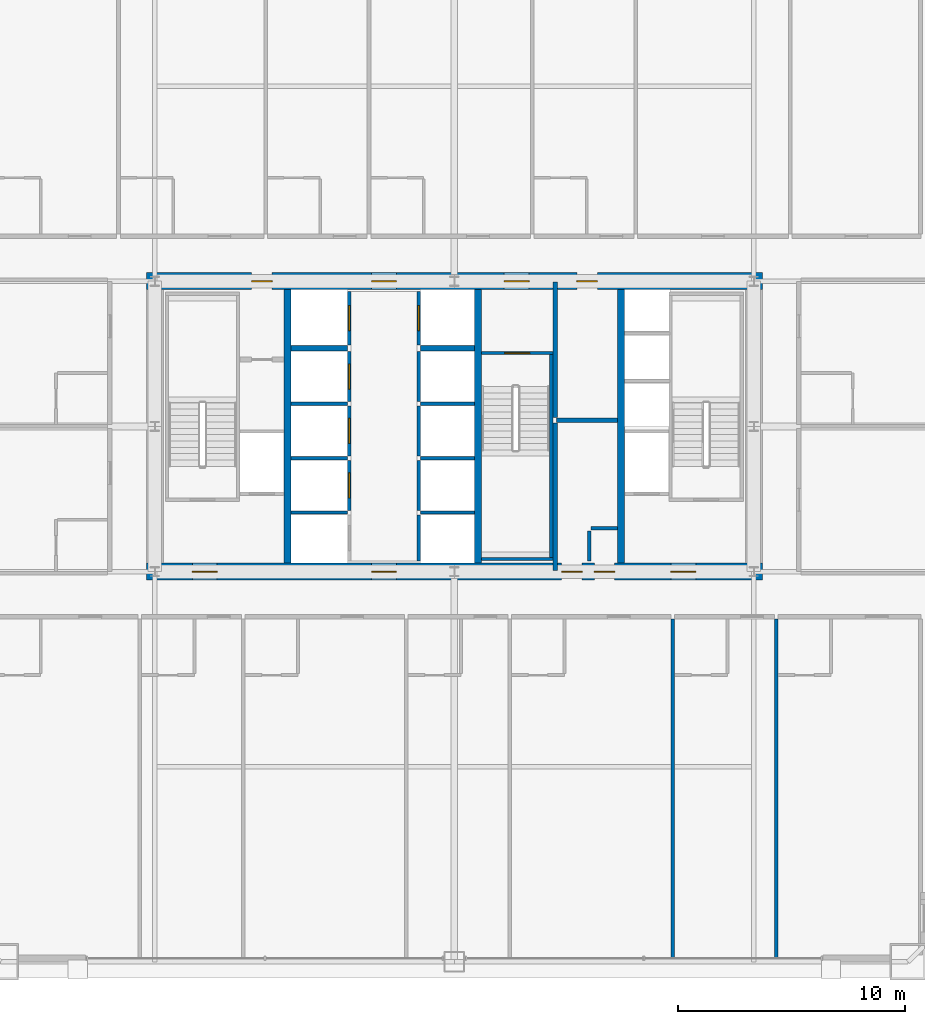
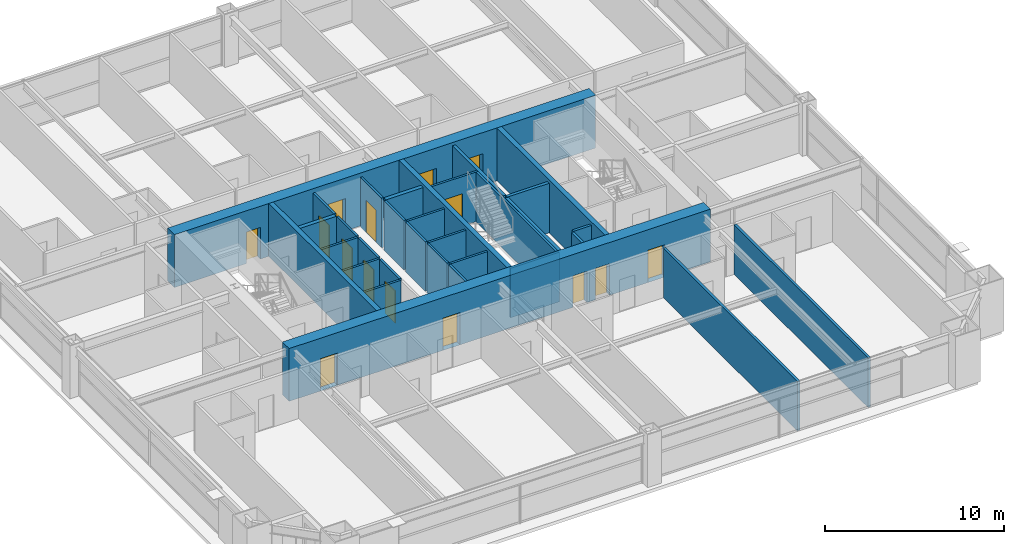
# One storey, part 35 of 38: 32 walls, 15 doors, 15 openings.
"""IFC4 building model written with IfcOpenShell, lengths in metres."""

from ifc_helpers import new_model, si_unit, direction, frame, frame_2d, origin, place, context, subcontext, project, spatial, rectangle, extrude, source, transform, mapped, material, layer, layer_set, type_object, element, fill, save


model = new_model("IFC4")

# Units and contexts
model_context = context("Model", 3, precision=1e-05, world=origin(), true_north=direction((0.0, 1.0)))
body_context = subcontext(model_context, "Body", "Model", "MODEL_VIEW")
ifc_project = project(units=[si_unit("LENGTHUNIT", "METRE"), si_unit("AREAUNIT", "SQUARE_METRE"), si_unit("VOLUMEUNIT", "CUBIC_METRE"), si_unit("PLANEANGLEUNIT", "RADIAN"), si_unit("MASSUNIT", "GRAM", prefix="KILO"), si_unit("THERMODYNAMICTEMPERATUREUNIT", "KELVIN"), si_unit("POWERUNIT", "WATT")], contexts=[model_context])

# Site, building, storey
site_placement = place(None, origin())
site = spatial("IfcSite", under=ifc_project, at=site_placement, CompositionType="ELEMENT")
building_placement = place(site_placement, origin())
building = spatial("IfcBuilding", under=site, at=building_placement, Name="Yuzanri Waterfront Tower", CompositionType="ELEMENT")
storey_placement = place(building_placement, frame((0.0, 0.0, 90.199951171875)))
storey = spatial("IfcBuildingStorey", under=building, at=storey_placement, Name="L23", CompositionType="ELEMENT", Elevation=90.199951171875)

# Wall, openings, doors
ifc_material_1 = material(Name="Concrete C55", Category="concrete")
ifc_layer_1 = layer(ifc_material_1, 0.75)
ifc_layer_set_1 = layer_set([ifc_layer_1], Name="Concrete C55")
wall_type_1 = type_object("IfcWallType", Name="Concrete C55 Low-Mid Zone Core Shear Wall 750", PredefinedType="SHEAR", material=ifc_layer_set_1)
wall_1_placement = place(storey_placement, frame((23.425048828125, 19.39990234375, 0.0), z_axis=(0.0, 0.0, 1.0), x_axis=(1.0, 0.0, 0.0)))
wall_1 = element("IfcWall", 1, at=wall_1_placement, inside=storey, type_object=wall_type_1, Name="L23 Core South Shear Wall", PredefinedType="SHEAR", context=body_context, shape_type="SweptSolid", body=[
    extrude(rectangle(XDim=27.14990234375, YDim=0.75, at=frame_2d((13.574951171875, 0.0))), origin(), (0.0, 0.0, 1.0), 3.60009765625),
])
opening_1_placement = place(wall_1_placement, frame((2.02490234375, 0.0, 0.0)))
opening_1 = element("IfcOpeningElement", 2, at=opening_1_placement, cuts=wall_1, Name="Opening FD-1100", PredefinedType="OPENING", context=body_context, shape_type="SweptSolid", body=[
    extrude(rectangle(XDim=1.10009765625, YDim=2.199951171875, at=frame_2d((0.550048828125, 1.10009765625))), frame((0.0, 0.389892578125, 0.0), z_axis=(0.0, -1.0, 0.0), x_axis=(1.0, 0.0, 0.0)), (0.0, 0.0, 1.0), 0.77978515625),
])
opening_2_placement = place(wall_1_placement, frame((9.925048828125, 0.0, 0.0)))
opening_2 = element("IfcOpeningElement", 3, at=opening_2_placement, cuts=wall_1, Name="Opening FD-1100", PredefinedType="OPENING", context=body_context, shape_type="SweptSolid", body=[
    extrude(rectangle(XDim=1.10009765625, YDim=2.199951171875, at=frame_2d((0.550048828125, 1.10009765625))), frame((0.0, 0.389892578125, 0.0), z_axis=(0.0, -1.0, 0.0), x_axis=(1.0, 0.0, 0.0)), (0.0, 0.0, 1.0), 0.77978515625),
])
opening_3_placement = place(wall_1_placement, frame((23.125, 0.0, 0.0)))
opening_3 = element("IfcOpeningElement", 4, at=opening_3_placement, cuts=wall_1, Name="Opening FD-1100", PredefinedType="OPENING", context=body_context, shape_type="SweptSolid", body=[
    extrude(rectangle(XDim=1.10009765625, YDim=2.199951171875, at=frame_2d((0.550048828125, 1.10009765625))), frame((0.0, 0.389892578125, 0.0), z_axis=(0.0, -1.0, 0.0), x_axis=(1.0, 0.0, 0.0)), (0.0, 0.0, 1.0), 0.77978515625),
])
opening_4_placement = place(wall_1_placement, frame((19.7451171875, 0.0, 0.0)))
opening_4 = element("IfcOpeningElement", 5, at=opening_4_placement, cuts=wall_1, Name="Opening FD-0900", PredefinedType="OPENING", context=body_context, shape_type="SweptSolid", body=[
    extrude(rectangle(XDim=0.89990234375, YDim=2.14990234375, at=frame_2d((0.449951171875, 1.074951171875))), frame((0.0, 0.389892578125, 0.0), z_axis=(0.0, -1.0, 0.0), x_axis=(1.0, 0.0, 0.0)), (0.0, 0.0, 1.0), 0.77978515625),
])
opening_5_placement = place(wall_1_placement, frame((18.304931640625, 0.0, 0.0)))
opening_5 = element("IfcOpeningElement", 6, at=opening_5_placement, cuts=wall_1, Name="Opening FD-0900", PredefinedType="OPENING", context=body_context, shape_type="SweptSolid", body=[
    extrude(rectangle(XDim=0.89990234375, YDim=2.14990234375, at=frame_2d((0.449951171875, 1.074951171875))), frame((0.0, 0.389892578125, 0.0), z_axis=(0.0, -1.0, 0.0), x_axis=(1.0, 0.0, 0.0)), (0.0, 0.0, 1.0), 0.77978515625),
])
ifc_material_2 = material(Name="Painted Galvanized Fire Steel", Category="steel")
door_type_1 = type_object("IfcDoorType", Name="Smoke-Proof Stair and Lobby Fire Door 1100x2200", OperationType="NOTDEFINED", PredefinedType="DOOR", material=ifc_material_2)
shared_shape_1 = source(origin(), body_context, "Body", "SweptSolid", [
    extrude(rectangle(XDim=1.10009765625, YDim=2.199951171875, at=frame_2d((0.550048828125, 1.10009765625))), frame((0.0, 0.02490234375, 0.0), z_axis=(0.0, -1.0, 0.0), x_axis=(1.0, 0.0, 0.0)), (0.0, 0.0, 1.0), 0.050048828125),
])
door_1_placement = place(opening_1_placement, origin())
door_1 = element("IfcDoor", 7, at=door_1_placement, inside=storey, type_object=door_type_1, Name="L23 West Firefighting Lobby Door", OperationType="SINGLE_SWING_RIGHT", OverallHeight=2.199951171875, OverallWidth=1.10009765625, PredefinedType="DOOR", context=body_context, shape_type="MappedRepresentation", body=[
    mapped(shared_shape_1, transform((0.0, 0.0, 0.0), scale=1.0)),
])
fill(opening_1, door_1)
door_2_placement = place(opening_2_placement, origin())
door_2 = element("IfcDoor", 8, at=door_2_placement, inside=storey, type_object=door_type_1, Name="L23 Central Lift Lobby South Door", OperationType="SINGLE_SWING_LEFT", OverallHeight=2.199951171875, OverallWidth=1.10009765625, PredefinedType="DOOR", context=body_context, shape_type="MappedRepresentation", body=[
    mapped(shared_shape_1, transform((0.0, 0.0, 0.0), scale=1.0)),
])
fill(opening_2, door_2)
door_3_placement = place(opening_3_placement, origin())
door_3 = element("IfcDoor", 9, at=door_3_placement, inside=storey, type_object=door_type_1, Name="L23 East Firefighting Lobby Door", OperationType="SINGLE_SWING_RIGHT", OverallHeight=2.199951171875, OverallWidth=1.10009765625, PredefinedType="DOOR", context=body_context, shape_type="MappedRepresentation", body=[
    mapped(shared_shape_1, transform((0.0, 0.0, 0.0), scale=1.0)),
])
fill(opening_3, door_3)
ifc_material_3 = material(Name="Painted Galvanized Fire Steel", Category="steel")
door_type_2 = type_object("IfcDoorType", Name="Riser and Service Room Fire Door 900x2150", OperationType="NOTDEFINED", PredefinedType="DOOR", material=ifc_material_3)
shared_shape_2 = source(origin(), body_context, "Body", "SweptSolid", [
    extrude(rectangle(XDim=0.89990234375, YDim=2.14990234375, at=frame_2d((0.449951171875, 1.074951171875))), frame((0.0, 0.02490234375, 0.0), z_axis=(0.0, -1.0, 0.0), x_axis=(1.0, 0.0, 0.0)), (0.0, 0.0, 1.0), 0.050048828125),
])
door_4_placement = place(opening_4_placement, origin())
door_4 = element("IfcDoor", 10, at=door_4_placement, inside=storey, type_object=door_type_2, Name="L23 East Wet Riser Door", OperationType="SINGLE_SWING_LEFT", OverallHeight=2.14990234375, OverallWidth=0.89990234375, PredefinedType="DOOR", context=body_context, shape_type="MappedRepresentation", body=[
    mapped(shared_shape_2, transform((0.0, 0.0, 0.0), scale=1.0)),
])
fill(opening_4, door_4)
door_5_placement = place(opening_5_placement, origin())
door_5 = element("IfcDoor", 11, at=door_5_placement, inside=storey, type_object=door_type_2, Name="L23 Meter and Valve Store Room", OperationType="SINGLE_SWING_RIGHT", OverallHeight=2.14990234375, OverallWidth=0.89990234375, PredefinedType="DOOR", context=body_context, shape_type="MappedRepresentation", body=[
    mapped(shared_shape_2, transform((0.0, 0.0, 0.0), scale=1.0)),
])
fill(opening_5, door_5)

wall_2_placement = place(storey_placement, frame((23.425048828125, 32.199951171875, 0.0), z_axis=(0.0, 0.0, 1.0), x_axis=(1.0, 0.0, 0.0)))
wall_2 = element("IfcWall", 12, at=wall_2_placement, inside=storey, type_object=wall_type_1, Name="L23 Core North Shear Wall", PredefinedType="SHEAR", context=body_context, shape_type="SweptSolid", body=[
    extrude(rectangle(XDim=27.14990234375, YDim=0.75, at=frame_2d((13.574951171875, 0.0))), origin(), (0.0, 0.0, 1.0), 3.60009765625),
])
opening_6_placement = place(wall_2_placement, frame((4.64501953125, 0.0, 0.0)))
opening_6 = element("IfcOpeningElement", 13, at=opening_6_placement, cuts=wall_2, Name="Opening FD-0900", PredefinedType="OPENING", context=body_context, shape_type="SweptSolid", body=[
    extrude(rectangle(XDim=0.89990234375, YDim=2.14990234375, at=frame_2d((0.449951171875, 1.074951171875))), frame((0.0, 0.389892578125, 0.0), z_axis=(0.0, -1.0, 0.0), x_axis=(1.0, 0.0, 0.0)), (0.0, 0.0, 1.0), 0.77978515625),
])
opening_7_placement = place(wall_2_placement, frame((9.925048828125, 0.0, 0.0)))
opening_7 = element("IfcOpeningElement", 14, at=opening_7_placement, cuts=wall_2, Name="Opening FD-1100", PredefinedType="OPENING", context=body_context, shape_type="SweptSolid", body=[
    extrude(rectangle(XDim=1.10009765625, YDim=2.199951171875, at=frame_2d((0.550048828125, 1.10009765625))), frame((0.0, 0.389892578125, 0.0), z_axis=(0.0, -1.0, 0.0), x_axis=(1.0, 0.0, 0.0)), (0.0, 0.0, 1.0), 0.77978515625),
])
opening_8_placement = place(wall_2_placement, frame((15.77490234375, 0.0, 0.0)))
opening_8 = element("IfcOpeningElement", 15, at=opening_8_placement, cuts=wall_2, Name="Opening FD-1100", PredefinedType="OPENING", context=body_context, shape_type="SweptSolid", body=[
    extrude(rectangle(XDim=1.10009765625, YDim=2.199951171875, at=frame_2d((0.550048828125, 1.10009765625))), frame((0.0, 0.389892578125, 0.0), z_axis=(0.0, -1.0, 0.0), x_axis=(1.0, 0.0, 0.0)), (0.0, 0.0, 1.0), 0.77978515625),
])
opening_9_placement = place(wall_2_placement, frame((18.97509765625, 0.0, 0.0)))
opening_9 = element("IfcOpeningElement", 16, at=opening_9_placement, cuts=wall_2, Name="Opening FD-0900", PredefinedType="OPENING", context=body_context, shape_type="SweptSolid", body=[
    extrude(rectangle(XDim=0.89990234375, YDim=2.14990234375, at=frame_2d((0.449951171875, 1.074951171875))), frame((0.0, 0.389892578125, 0.0), z_axis=(0.0, -1.0, 0.0), x_axis=(1.0, 0.0, 0.0)), (0.0, 0.0, 1.0), 0.77978515625),
])
door_6_placement = place(opening_7_placement, origin())
door_6 = element("IfcDoor", 17, at=door_6_placement, inside=storey, type_object=door_type_1, Name="L23 Central Lift Lobby North Door", OperationType="SINGLE_SWING_RIGHT", OverallHeight=2.199951171875, OverallWidth=1.10009765625, PredefinedType="DOOR", context=body_context, shape_type="MappedRepresentation", body=[
    mapped(shared_shape_1, transform((0.0, 0.0, 0.0), scale=1.0)),
])
fill(opening_7, door_6)
door_7_placement = place(opening_8_placement, origin())
door_7 = element("IfcDoor", 18, at=door_7_placement, inside=storey, type_object=door_type_1, Name="L23 North Stair Lobby Door", OperationType="SINGLE_SWING_LEFT", OverallHeight=2.199951171875, OverallWidth=1.10009765625, PredefinedType="DOOR", context=body_context, shape_type="MappedRepresentation", body=[
    mapped(shared_shape_1, transform((0.0, 0.0, 0.0), scale=1.0)),
])
fill(opening_8, door_7)
door_8_placement = place(opening_6_placement, origin())
door_8 = element("IfcDoor", 19, at=door_8_placement, inside=storey, type_object=door_type_2, Name="L23 Telecom Riser Door", OperationType="SINGLE_SWING_LEFT", OverallHeight=2.14990234375, OverallWidth=0.89990234375, PredefinedType="DOOR", context=body_context, shape_type="MappedRepresentation", body=[
    mapped(shared_shape_2, transform((0.0, 0.0, 0.0), scale=1.0)),
])
fill(opening_6, door_8)
door_9_placement = place(opening_9_placement, origin())
door_9 = element("IfcDoor", 20, at=door_9_placement, inside=storey, type_object=door_type_2, Name="L23 Housekeeping Room", OperationType="SINGLE_SWING_LEFT", OverallHeight=2.14990234375, OverallWidth=0.89990234375, PredefinedType="DOOR", context=body_context, shape_type="MappedRepresentation", body=[
    mapped(shared_shape_2, transform((0.0, 0.0, 0.0), scale=1.0)),
])
fill(opening_9, door_9)

# Wall, opening, door
ifc_material_4 = material(Name="Concrete C40", Category="concrete")
ifc_layer_2 = layer(ifc_material_4, 0.139892578125)
ifc_layer_set_2 = layer_set([ifc_layer_2], Name="Concrete C40")
wall_type_2 = type_object("IfcWallType", Name="Core Stair Liner and Hoistway Shaft Wall 140", PredefinedType="SOLIDWALL", material=ifc_layer_set_2)
wall_3_placement = place(storey_placement, frame((32.3701171875, 22.10009765625, 0.0), z_axis=(0.0, 0.0, 1.0), x_axis=(0.0, 1.0, 0.0)))
wall_3 = element("IfcWall", 21, at=wall_3_placement, inside=storey, type_object=wall_type_2, Name="L23 Lift PL-02 Front Shaft Wall", PredefinedType="SOLIDWALL", context=body_context, shape_type="SweptSolid", body=[
    extrude(rectangle(XDim=2.199951171875, YDim=0.139892578125, at=frame_2d((1.10009765625, 0.0))), origin(), (0.0, 0.0, 1.0), 3.380126953125),
])
opening_10_placement = place(wall_3_placement, frame((0.550048828125, 0.0, 0.0)))
opening_10 = element("IfcOpeningElement", 22, at=opening_10_placement, cuts=wall_3, Name="Opening LD-PL-02", PredefinedType="OPENING", context=body_context, shape_type="SweptSolid", body=[
    extrude(rectangle(XDim=1.10009765625, YDim=2.199951171875, at=frame_2d((0.550048828125, 1.10009765625))), frame((0.0, 0.0849609375, 0.0), z_axis=(0.0, -1.0, 0.0), x_axis=(1.0, 0.0, 0.0)), (0.0, 0.0, 1.0), 0.169677734375),
])
ifc_material_5 = material(Name="Brushed Bronze and Stainless Steel Cab", Category="steel")
door_type_3 = type_object("IfcDoorType", Name="Center-Parting Bronze Lift Landing Sliding Door 1100x2200", OperationType="NOTDEFINED", PredefinedType="DOOR", material=ifc_material_5)
shared_shape_3 = source(origin(), body_context, "Body", "SweptSolid", [
    extrude(rectangle(XDim=1.10009765625, YDim=2.199951171875, at=frame_2d((0.550048828125, 1.10009765625))), frame((0.0, 0.02490234375, 0.0), z_axis=(0.0, -1.0, 0.0), x_axis=(1.0, 0.0, 0.0)), (0.0, 0.0, 1.0), 0.050048828125),
])
door_10_placement = place(opening_10_placement, origin())
door_10 = element("IfcDoor", 23, at=door_10_placement, inside=storey, type_object=door_type_3, Name="L23 PL-02 Lift Landing Sliding Door", OperationType="SLIDING_TO_RIGHT", OverallHeight=2.199951171875, OverallWidth=1.10009765625, PredefinedType="DOOR", context=body_context, shape_type="MappedRepresentation", body=[
    mapped(shared_shape_3, transform((0.0, 0.0, 0.0), scale=1.0)),
])
fill(opening_10, door_10)

wall_4_placement = place(storey_placement, frame((32.3701171875, 24.5, 0.0), z_axis=(0.0, 0.0, 1.0), x_axis=(0.0, 1.0, 0.0)))
wall_4 = element("IfcWall", 24, at=wall_4_placement, inside=storey, type_object=wall_type_2, Name="L23 Lift PL-03 Front Shaft Wall", PredefinedType="SOLIDWALL", context=body_context, shape_type="SweptSolid", body=[
    extrude(rectangle(XDim=2.199951171875, YDim=0.139892578125, at=frame_2d((1.10009765625, 0.0))), origin(), (0.0, 0.0, 1.0), 3.380126953125),
])
opening_11_placement = place(wall_4_placement, frame((0.550048828125, 0.0, 0.0)))
opening_11 = element("IfcOpeningElement", 25, at=opening_11_placement, cuts=wall_4, Name="Opening LD-PL-03", PredefinedType="OPENING", context=body_context, shape_type="SweptSolid", body=[
    extrude(rectangle(XDim=1.10009765625, YDim=2.199951171875, at=frame_2d((0.550048828125, 1.10009765625))), frame((0.0, 0.0849609375, 0.0), z_axis=(0.0, -1.0, 0.0), x_axis=(1.0, 0.0, 0.0)), (0.0, 0.0, 1.0), 0.169677734375),
])
door_11_placement = place(opening_11_placement, origin())
door_11 = element("IfcDoor", 26, at=door_11_placement, inside=storey, type_object=door_type_3, Name="L23 PL-03 Lift Landing Sliding Door", OperationType="SLIDING_TO_LEFT", OverallHeight=2.199951171875, OverallWidth=1.10009765625, PredefinedType="DOOR", context=body_context, shape_type="MappedRepresentation", body=[
    mapped(shared_shape_3, transform((0.0, 0.0, 0.0), scale=1.0)),
])
fill(opening_11, door_11)

wall_5_placement = place(storey_placement, frame((32.3701171875, 26.89990234375, 0.0), z_axis=(0.0, 0.0, 1.0), x_axis=(0.0, 1.0, 0.0)))
wall_5 = element("IfcWall", 27, at=wall_5_placement, inside=storey, type_object=wall_type_2, Name="L23 Lift PL-04 Front Shaft Wall", PredefinedType="SOLIDWALL", context=body_context, shape_type="SweptSolid", body=[
    extrude(rectangle(XDim=2.2001953125, YDim=0.139892578125, at=frame_2d((1.10009765625, 0.0))), origin(), (0.0, 0.0, 1.0), 3.380126953125),
])
opening_12_placement = place(wall_5_placement, frame((0.550048828125, 0.0, 0.0)))
opening_12 = element("IfcOpeningElement", 28, at=opening_12_placement, cuts=wall_5, Name="Opening LD-PL-04", PredefinedType="OPENING", context=body_context, shape_type="SweptSolid", body=[
    extrude(rectangle(XDim=1.10009765625, YDim=2.199951171875, at=frame_2d((0.550048828125, 1.10009765625))), frame((0.0, 0.0849609375, 0.0), z_axis=(0.0, -1.0, 0.0), x_axis=(1.0, 0.0, 0.0)), (0.0, 0.0, 1.0), 0.169677734375),
])
door_12_placement = place(opening_12_placement, origin())
door_12 = element("IfcDoor", 29, at=door_12_placement, inside=storey, type_object=door_type_3, Name="L23 PL-04 Lift Landing Sliding Door", OperationType="SLIDING_TO_RIGHT", OverallHeight=2.199951171875, OverallWidth=1.10009765625, PredefinedType="DOOR", context=body_context, shape_type="MappedRepresentation", body=[
    mapped(shared_shape_3, transform((0.0, 0.0, 0.0), scale=1.0)),
])
fill(opening_12, door_12)

wall_6_placement = place(storey_placement, frame((32.3701171875, 29.39990234375, 0.0), z_axis=(0.0, 0.0, 1.0), x_axis=(0.0, 1.0, 0.0)))
wall_6 = element("IfcWall", 30, at=wall_6_placement, inside=storey, type_object=wall_type_2, Name="L23 Lift SL-01 Front Shaft Wall", PredefinedType="SOLIDWALL", context=body_context, shape_type="SweptSolid", body=[
    extrude(rectangle(XDim=2.340087890625, YDim=0.139892578125, at=frame_2d((1.169921875, 0.0))), origin(), (0.0, 0.0, 1.0), 3.380126953125),
])
opening_13_placement = place(wall_6_placement, frame((0.6201171875, 0.0, 0.0)))
opening_13 = element("IfcOpeningElement", 31, at=opening_13_placement, cuts=wall_6, Name="Opening LD-SL-01", PredefinedType="OPENING", context=body_context, shape_type="SweptSolid", body=[
    extrude(rectangle(XDim=1.10009765625, YDim=2.199951171875, at=frame_2d((0.550048828125, 1.10009765625))), frame((0.0, 0.0849609375, 0.0), z_axis=(0.0, -1.0, 0.0), x_axis=(1.0, 0.0, 0.0)), (0.0, 0.0, 1.0), 0.169677734375),
])
door_13_placement = place(opening_13_placement, origin())
door_13 = element("IfcDoor", 32, at=door_13_placement, inside=storey, type_object=door_type_3, Name="L23 SL-01 Lift Landing Sliding Door", OperationType="SLIDING_TO_LEFT", OverallHeight=2.199951171875, OverallWidth=1.10009765625, PredefinedType="DOOR", context=body_context, shape_type="MappedRepresentation", body=[
    mapped(shared_shape_3, transform((0.0, 0.0, 0.0), scale=1.0)),
])
fill(opening_13, door_13)

wall_7_placement = place(storey_placement, frame((35.429931640625, 29.39990234375, 0.0), z_axis=(0.0, 0.0, 1.0), x_axis=(0.0, 1.0, 0.0)))
wall_7 = element("IfcWall", 33, at=wall_7_placement, inside=storey, type_object=wall_type_2, Name="L23 Lift SL-02 Front Shaft Wall", PredefinedType="SOLIDWALL", context=body_context, shape_type="SweptSolid", body=[
    extrude(rectangle(XDim=2.340087890625, YDim=0.139892578125, at=frame_2d((1.169921875, 0.0))), origin(), (0.0, 0.0, 1.0), 3.380126953125),
])
opening_14_placement = place(wall_7_placement, frame((0.6201171875, 0.0, 0.0)))
opening_14 = element("IfcOpeningElement", 34, at=opening_14_placement, cuts=wall_7, Name="Opening LD-SL-02", PredefinedType="OPENING", context=body_context, shape_type="SweptSolid", body=[
    extrude(rectangle(XDim=1.10009765625, YDim=2.199951171875, at=frame_2d((0.550048828125, 1.10009765625))), frame((0.0, 0.0849609375, 0.0), z_axis=(0.0, -1.0, 0.0), x_axis=(1.0, 0.0, 0.0)), (0.0, 0.0, 1.0), 0.169677734375),
])
door_14_placement = place(opening_14_placement, origin())
door_14 = element("IfcDoor", 35, at=door_14_placement, inside=storey, type_object=door_type_3, Name="L23 SL-02 Lift Landing Sliding Door", OperationType="SLIDING_TO_RIGHT", OverallHeight=2.199951171875, OverallWidth=1.10009765625, PredefinedType="DOOR", context=body_context, shape_type="MappedRepresentation", body=[
    mapped(shared_shape_3, transform((0.0, 0.0, 0.0), scale=1.0)),
])
fill(opening_14, door_14)

wall_8_placement = place(storey_placement, frame((38.199951171875, 29.030029296875, 0.0), z_axis=(0.0, 0.0, 1.0), x_axis=(1.0, 0.0, 0.0)))
wall_8 = element("IfcWall", 36, at=wall_8_placement, inside=storey, type_object=wall_type_2, Name="L23 Shaft Wall STW-L23-ST-03-N", PredefinedType="SOLIDWALL", context=body_context, shape_type="SweptSolid", body=[
    extrude(rectangle(XDim=3.14013671875, YDim=0.139892578125, at=frame_2d((1.570068359375, 0.0))), origin(), (0.0, 0.0, 1.0), 3.380126953125),
])
opening_15_placement = place(wall_8_placement, frame((1.02001953125, 0.0, 0.0)))
opening_15 = element("IfcOpeningElement", 37, at=opening_15_placement, cuts=wall_8, Name="Opening FD-1100", PredefinedType="OPENING", context=body_context, shape_type="SweptSolid", body=[
    extrude(rectangle(XDim=1.10009765625, YDim=2.199951171875, at=frame_2d((0.550048828125, 1.10009765625))), frame((0.0, 0.0849609375, 0.0), z_axis=(0.0, -1.0, 0.0), x_axis=(1.0, 0.0, 0.0)), (0.0, 0.0, 1.0), 0.169677734375),
])
door_15_placement = place(opening_15_placement, origin())
door_15 = element("IfcDoor", 38, at=door_15_placement, inside=storey, type_object=door_type_1, Name="L23 Stair ST-03 Fire Door", OperationType="SINGLE_SWING_LEFT", OverallHeight=2.199951171875, OverallWidth=1.10009765625, PredefinedType="DOOR", context=body_context, shape_type="MappedRepresentation", body=[
    mapped(shared_shape_1, transform((0.0, 0.0, 0.0), scale=1.0)),
])
fill(opening_15, door_15)

# Walls
ifc_material_6 = material(Name="Concrete C50", Category="concrete")
ifc_layer_3 = layer(ifc_material_6, 0.300048828125)
ifc_layer_set_3 = layer_set([ifc_layer_3], Name="Concrete C50")
wall_type_3 = type_object("IfcWallType", Name="Concrete C50 Internal Core Shaft Structural Wall 300", PredefinedType="SOLIDWALL", material=ifc_layer_set_3)
shared_shape_4 = source(origin(), body_context, "Body", "SweptSolid", [
    extrude(rectangle(XDim=12.050048828125, YDim=0.300048828125, at=frame_2d((6.02490234375, 0.0))), origin(), (0.0, 0.0, 1.0), 3.60009765625),
])
for number, where, z_axis, x_axis, name in (
    (39, (29.64990234375, 19.77490234375, 0.0), (0.0, 0.0, 1.0), (0.0, 1.0, 0.0), "L23 Core Internal Structural Web Wall 1"),
    (40, (38.050048828125, 19.77490234375, 0.0), (0.0, 0.0, 1.0), (0.0, 1.0, 0.0), "L23 Core Internal Structural Web Wall 2"),
    (41, (44.35009765625, 19.77490234375, 0.0), (0.0, 0.0, 1.0), (0.0, 1.0, 0.0), "L23 Core Internal Structural Web Wall 3"),
):
    element("IfcWall", number, at=place(storey_placement, frame(where, z_axis=z_axis, x_axis=x_axis)), inside=storey, type_object=wall_type_3, Name=name, PredefinedType="SOLIDWALL", context=body_context, shape_type="MappedRepresentation", body=[
        mapped(shared_shape_4, transform((0.0, 0.0, 0.0), scale=1.0)),
    ])
shared_shape_5 = source(origin(), body_context, "Body", "SweptSolid", [
    extrude(rectangle(XDim=2.5, YDim=0.139892578125, at=frame_2d((1.25, 0.0))), origin(), (0.0, 0.0, 1.0), 3.380126953125),
])
for number, where, z_axis, x_axis, name in (
    (42, (29.800048828125, 22.0, 0.0), (0.0, 0.0, 1.0), (1.0, 0.0, 0.0), "L23 Lift PL-01 Divider Wall"),
    (43, (29.800048828125, 24.39990234375, 0.0), (0.0, 0.0, 1.0), (1.0, 0.0, 0.0), "L23 Lift PL-02 Divider Wall"),
    (44, (29.800048828125, 26.800048828125, 0.0), (0.0, 0.0, 1.0), (1.0, 0.0, 0.0), "L23 Lift PL-03 Divider Wall"),
):
    element("IfcWall", number, at=place(storey_placement, frame(where, z_axis=z_axis, x_axis=x_axis)), inside=storey, type_object=wall_type_2, Name=name, PredefinedType="SOLIDWALL", context=body_context, shape_type="MappedRepresentation", body=[
        mapped(shared_shape_5, transform((0.0, 0.0, 0.0), scale=1.0)),
    ])
ifc_material_7 = material(Name="Concrete C40", Category="concrete")
ifc_layer_4 = layer(ifc_material_7, 0.25)
ifc_layer_set_4 = layer_set([ifc_layer_4], Name="Concrete C40")
wall_type_4 = type_object("IfcWallType", Name="Smoke-Proof Stair and Lift Shaft Wall 250", PredefinedType="SOLIDWALL", material=ifc_layer_set_4)
shared_shape_6 = source(origin(), body_context, "Body", "SweptSolid", [
    extrude(rectangle(XDim=2.5, YDim=0.25, at=frame_2d((1.25, 0.0))), origin(), (0.0, 0.0, 1.0), 3.380126953125),
])
wall_9_placement = place(storey_placement, frame((29.800048828125, 29.25, 0.0), z_axis=(0.0, 0.0, 1.0), x_axis=(1.0, 0.0, 0.0)))
element("IfcWall", 45, at=wall_9_placement, inside=storey, type_object=wall_type_4, Name="L23 Lift SL-01 South Shaft Wall", PredefinedType="SOLIDWALL", context=body_context, shape_type="MappedRepresentation", body=[
    mapped(shared_shape_6, transform((0.0, 0.0, 0.0), scale=1.0)),
])
shared_shape_7 = source(origin(), body_context, "Body", "SweptSolid", [
    extrude(rectangle(XDim=2.039794921875, YDim=0.139892578125, at=frame_2d((1.02001953125, 0.0))), origin(), (0.0, 0.0, 1.0), 3.380126953125),
])
wall_10_placement = place(storey_placement, frame((35.429931640625, 19.860107421875, 0.0), z_axis=(0.0, 0.0, 1.0), x_axis=(0.0, 1.0, 0.0)))
element("IfcWall", 46, at=wall_10_placement, inside=storey, type_object=wall_type_2, Name="L23 Lift PL-05 Front Shaft Wall", PredefinedType="SOLIDWALL", context=body_context, shape_type="MappedRepresentation", body=[
    mapped(shared_shape_7, transform((0.0, 0.0, 0.0), scale=1.0)),
])
shared_shape_8 = source(origin(), body_context, "Body", "SweptSolid", [
    extrude(rectangle(XDim=2.39990234375, YDim=0.139892578125, at=frame_2d((1.199951171875, 0.0))), origin(), (0.0, 0.0, 1.0), 3.380126953125),
])
for number, where, z_axis, x_axis, name in (
    (47, (35.5, 22.0, 0.0), (0.0, 0.0, 1.0), (1.0, 0.0, 0.0), "L23 Lift PL-05 Divider Wall"),
    (48, (35.5, 24.39990234375, 0.0), (0.0, 0.0, 1.0), (1.0, 0.0, 0.0), "L23 Lift PL-06 Divider Wall"),
    (49, (35.5, 26.800048828125, 0.0), (0.0, 0.0, 1.0), (1.0, 0.0, 0.0), "L23 Lift PL-07 Divider Wall"),
):
    element("IfcWall", number, at=place(storey_placement, frame(where, z_axis=z_axis, x_axis=x_axis)), inside=storey, type_object=wall_type_2, Name=name, PredefinedType="SOLIDWALL", context=body_context, shape_type="MappedRepresentation", body=[
        mapped(shared_shape_8, transform((0.0, 0.0, 0.0), scale=1.0)),
    ])
shared_shape_9 = source(origin(), body_context, "Body", "SweptSolid", [
    extrude(rectangle(XDim=2.199951171875, YDim=0.139892578125, at=frame_2d((1.10009765625, 0.0))), origin(), (0.0, 0.0, 1.0), 3.380126953125),
])
for number, where, z_axis, x_axis, name in (
    (50, (35.429931640625, 22.10009765625, 0.0), (0.0, 0.0, 1.0), (0.0, 1.0, 0.0), "L23 Lift PL-06 Front Shaft Wall"),
    (51, (35.429931640625, 24.5, 0.0), (0.0, 0.0, 1.0), (0.0, 1.0, 0.0), "L23 Lift PL-07 Front Shaft Wall"),
):
    element("IfcWall", number, at=place(storey_placement, frame(where, z_axis=z_axis, x_axis=x_axis)), inside=storey, type_object=wall_type_2, Name=name, PredefinedType="SOLIDWALL", context=body_context, shape_type="MappedRepresentation", body=[
        mapped(shared_shape_9, transform((0.0, 0.0, 0.0), scale=1.0)),
    ])
shared_shape_10 = source(origin(), body_context, "Body", "SweptSolid", [
    extrude(rectangle(XDim=2.2001953125, YDim=0.139892578125, at=frame_2d((1.10009765625, 0.0))), origin(), (0.0, 0.0, 1.0), 3.380126953125),
])
wall_11_placement = place(storey_placement, frame((35.429931640625, 26.89990234375, 0.0), z_axis=(0.0, 0.0, 1.0), x_axis=(0.0, 1.0, 0.0)))
element("IfcWall", 52, at=wall_11_placement, inside=storey, type_object=wall_type_2, Name="L23 Lift PL-08 Front Shaft Wall", PredefinedType="SOLIDWALL", context=body_context, shape_type="MappedRepresentation", body=[
    mapped(shared_shape_10, transform((0.0, 0.0, 0.0), scale=1.0)),
])
shared_shape_11 = source(origin(), body_context, "Body", "SweptSolid", [
    extrude(rectangle(XDim=2.39990234375, YDim=0.25, at=frame_2d((1.199951171875, 0.0))), origin(), (0.0, 0.0, 1.0), 3.380126953125),
])
wall_12_placement = place(storey_placement, frame((35.5, 29.25, 0.0), z_axis=(0.0, 0.0, 1.0), x_axis=(1.0, 0.0, 0.0)))
element("IfcWall", 53, at=wall_12_placement, inside=storey, type_object=wall_type_4, Name="L23 Lift SL-02 South Shaft Wall", PredefinedType="SOLIDWALL", context=body_context, shape_type="MappedRepresentation", body=[
    mapped(shared_shape_11, transform((0.0, 0.0, 0.0), scale=1.0)),
])
shared_shape_12 = source(origin(), body_context, "Body", "SweptSolid", [
    extrude(rectangle(XDim=3.14013671875, YDim=0.139892578125, at=frame_2d((1.570068359375, 0.0))), origin(), (0.0, 0.0, 1.0), 3.380126953125),
])
wall_13_placement = place(storey_placement, frame((38.199951171875, 19.949951171875, 0.0), z_axis=(0.0, 0.0, 1.0), x_axis=(1.0, 0.0, 0.0)))
element("IfcWall", 54, at=wall_13_placement, inside=storey, type_object=wall_type_2, Name="L23 Stair ST-03 South Shaft Wall", PredefinedType="SOLIDWALL", context=body_context, shape_type="MappedRepresentation", body=[
    mapped(shared_shape_12, transform((0.0, 0.0, 0.0), scale=1.0)),
])
shared_shape_13 = source(origin(), body_context, "Body", "SweptSolid", [
    extrude(rectangle(XDim=8.93994140625, YDim=0.139892578125, at=frame_2d((4.469970703125, 0.0))), origin(), (0.0, 0.0, 1.0), 3.380126953125),
])
wall_14_placement = place(storey_placement, frame((41.27001953125, 20.02001953125, 0.0), z_axis=(0.0, 0.0, 1.0), x_axis=(0.0, 1.0, 0.0)))
element("IfcWall", 55, at=wall_14_placement, inside=storey, type_object=wall_type_2, Name="L23 Stair ST-03 East Shaft Wall", PredefinedType="SOLIDWALL", context=body_context, shape_type="MappedRepresentation", body=[
    mapped(shared_shape_13, transform((0.0, 0.0, 0.0), scale=1.0)),
])
ifc_material_8 = material(Name="Gypsum Fireboard Acoustic Stud Wall", Category="gypsum")
ifc_layer_5 = layer(ifc_material_8, 0.159912109375)
ifc_layer_set_5 = layer_set([ifc_layer_5], Name="Gypsum Fireboard Acoustic Stud Wall")
wall_type_5 = type_object("IfcWallType", Name="Acoustic Suite Demising Partition 160", PredefinedType="PARTITIONING", material=ifc_layer_set_5)
shared_shape_14 = source(origin(), body_context, "Body", "SweptSolid", [
    extrude(rectangle(XDim=1.33984375, YDim=0.159912109375, at=frame_2d((0.669921875, 0.0))), origin(), (0.0, 0.0, 1.0), 3.380126953125),
])
wall_15_placement = place(storey_placement, frame((42.949951171875, 19.860107421875, 0.0), z_axis=(0.0, 0.0, 1.0), x_axis=(0.0, 1.0, 0.0)))
element("IfcWall", 56, at=wall_15_placement, inside=storey, type_object=wall_type_5, Name="L23 East Wet Riser West Wall", PredefinedType="PARTITIONING", context=body_context, shape_type="MappedRepresentation", body=[
    mapped(shared_shape_14, transform((0.0, 0.0, 0.0), scale=1.0)),
])
shared_shape_15 = source(origin(), body_context, "Body", "SweptSolid", [
    extrude(rectangle(XDim=1.169921875, YDim=0.159912109375, at=frame_2d((0.5849609375, 0.0))), origin(), (0.0, 0.0, 1.0), 3.380126953125),
])
wall_16_placement = place(storey_placement, frame((43.030029296875, 21.320068359375, 0.0), z_axis=(0.0, 0.0, 1.0), x_axis=(1.0, 0.0, 0.0)))
element("IfcWall", 57, at=wall_16_placement, inside=storey, type_object=wall_type_5, Name="L23 East Wet Riser North Wall", PredefinedType="PARTITIONING", context=body_context, shape_type="MappedRepresentation", body=[
    mapped(shared_shape_15, transform((0.0, 0.0, 0.0), scale=1.0)),
])
ifc_material_9 = material(Name="Autoclaved Aerated Concrete Blockwork", Category="masonry")
ifc_layer_6 = layer(ifc_material_9, 0.199951171875)
ifc_layer_set_6 = layer_set([ifc_layer_6], Name="Autoclaved Aerated Concrete Blockwork")
wall_type_6 = type_object("IfcWallType", Name="Corridor and Unit Party Fire Wall 200", PredefinedType="PARTITIONING", material=ifc_layer_set_6)
shared_shape_16 = source(origin(), body_context, "Body", "SweptSolid", [
    extrude(rectangle(XDim=6.510009765625, YDim=0.199951171875, at=frame_2d((3.2548828125, 0.0))), origin(), (0.0, 0.0, 1.0), 3.380126953125),
])
wall_17_placement = place(storey_placement, frame((41.449951171875, 19.43994140625, 0.0), z_axis=(0.0, 0.0, 1.0), x_axis=(0.0, 1.0, 0.0)))
element("IfcWall", 58, at=wall_17_placement, inside=storey, type_object=wall_type_6, Name="L23 Core BOH West Wall 1", PredefinedType="PARTITIONING", context=body_context, shape_type="MappedRepresentation", body=[
    mapped(shared_shape_16, transform((0.0, 0.0, 0.0), scale=1.0)),
])
shared_shape_17 = source(origin(), body_context, "Body", "SweptSolid", [
    extrude(rectangle(XDim=2.699951171875, YDim=0.199951171875, at=frame_2d((1.35009765625, 0.0))), origin(), (0.0, 0.0, 1.0), 3.380126953125),
])
wall_18_placement = place(storey_placement, frame((41.5, 26.070068359375, 0.0), z_axis=(0.0, 0.0, 1.0), x_axis=(1.0, 0.0, 0.0)))
element("IfcWall", 59, at=wall_18_placement, inside=storey, type_object=wall_type_6, Name="L23 Core BOH Split Wall 1", PredefinedType="PARTITIONING", context=body_context, shape_type="MappedRepresentation", body=[
    mapped(shared_shape_17, transform((0.0, 0.0, 0.0), scale=1.0)),
])
shared_shape_18 = source(origin(), body_context, "Body", "SweptSolid", [
    extrude(rectangle(XDim=5.9599609375, YDim=0.199951171875, at=frame_2d((2.97998046875, 0.0))), origin(), (0.0, 0.0, 1.0), 3.380126953125),
])
wall_19_placement = place(storey_placement, frame((41.449951171875, 26.199951171875, 0.0), z_axis=(0.0, 0.0, 1.0), x_axis=(0.0, 1.0, 0.0)))
element("IfcWall", 60, at=wall_19_placement, inside=storey, type_object=wall_type_6, Name="L23 Core BOH West Wall 2", PredefinedType="PARTITIONING", context=body_context, shape_type="MappedRepresentation", body=[
    mapped(shared_shape_18, transform((0.0, 0.0, 0.0), scale=1.0)),
])
shared_shape_19 = source(origin(), body_context, "Body", "SweptSolid", [
    extrude(rectangle(XDim=14.969970703125, YDim=0.159912109375, at=frame_2d((7.48486328125, 0.0))), origin(), (0.0, 0.0, 1.0), 3.380126953125),
])
for number, where, z_axis, x_axis, name in (
    (61, (46.634033203125, 2.35009765625, 0.0), (0.0, 0.0, 1.0), (0.0, 1.0, 0.0), "L23-S5 Party Wall"),
    (62, (51.19189453125, 2.35009765625, 0.0), (0.0, 0.0, 1.0), (0.0, 1.0, 0.0), "L23-S6 Party Wall"),
):
    element("IfcWall", number, at=place(storey_placement, frame(where, z_axis=z_axis, x_axis=x_axis)), inside=storey, type_object=wall_type_5, Name=name, PredefinedType="PARTITIONING", context=body_context, shape_type="MappedRepresentation", body=[
        mapped(shared_shape_19, transform((0.0, 0.0, 0.0), scale=1.0)),
    ])

save(model, "model.ifc")
